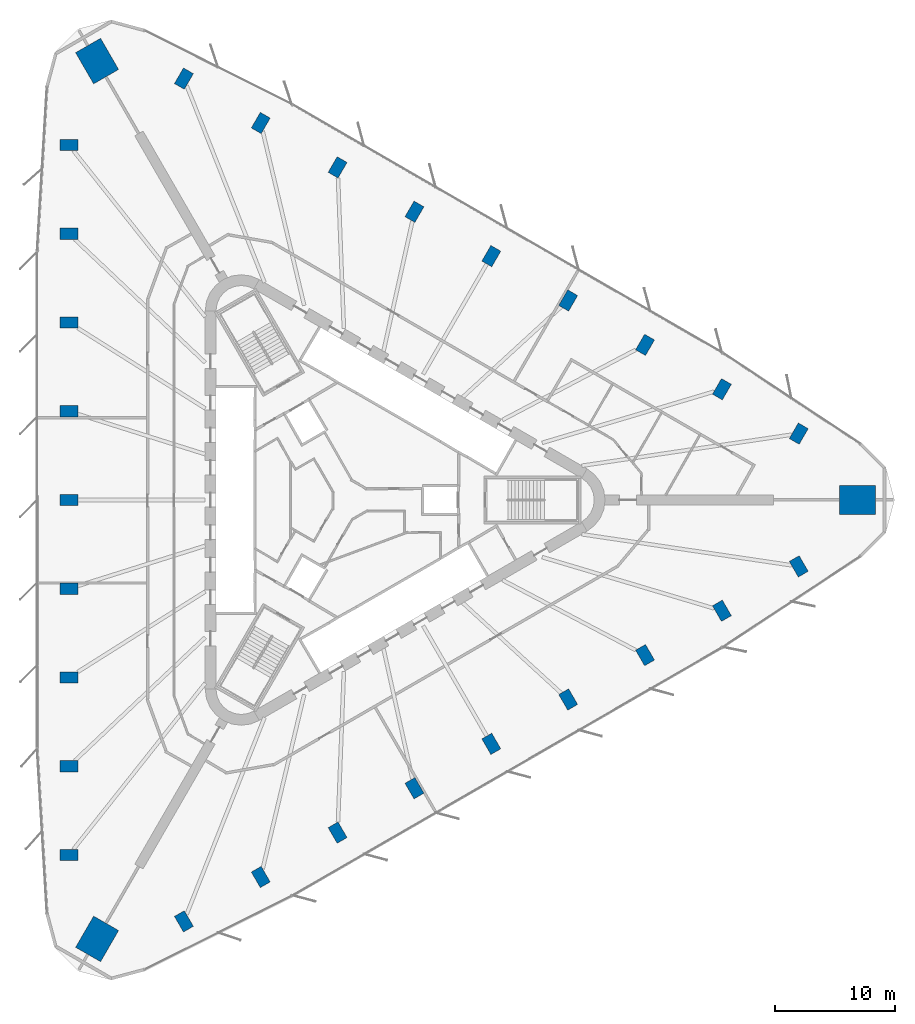
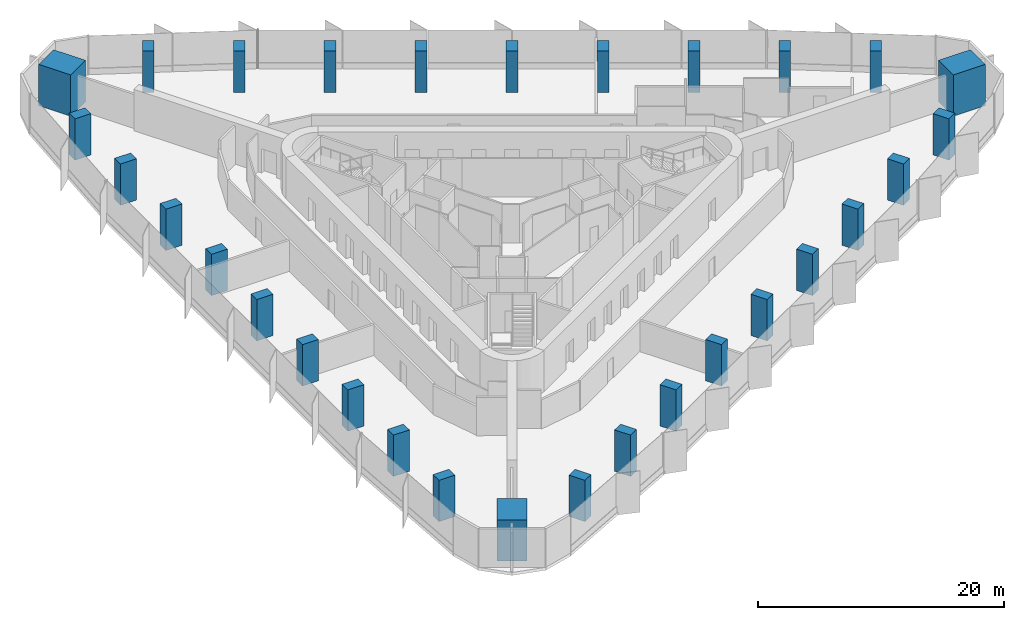
# One storey, part 1 of 14: 30 columns.
"""IFC4 building model written with IfcOpenShell, lengths in metres."""

from ifc_helpers import new_model, si_unit, direction, frame, origin, origin_2d, place, context, subcontext, project, spatial, rectangle, extrude, material, material_profile, profile_set, type_object, element, save


model = new_model("IFC4")

# Units and contexts
model_context = context("Model", 3, precision=1e-05, world=origin(), true_north=direction((0.0, 1.0)))
body_context = subcontext(model_context, "Body", "Model", "MODEL_VIEW")
ifc_project = project(units=[si_unit("LENGTHUNIT", "METRE"), si_unit("AREAUNIT", "SQUARE_METRE"), si_unit("VOLUMEUNIT", "CUBIC_METRE"), si_unit("PLANEANGLEUNIT", "RADIAN"), si_unit("MASSUNIT", "GRAM", prefix="KILO")], contexts=[model_context])

# Site, building, storey
site_placement = place(None, origin())
site = spatial("IfcSite", under=ifc_project, at=site_placement, CompositionType="ELEMENT")
building_placement = place(site_placement, origin())
building = spatial("IfcBuilding", under=site, at=building_placement, Name="Tanit Gate Tower", CompositionType="ELEMENT")
storey_placement = place(building_placement, frame((0.0, 0.0, 53.699951171875)))
storey = spatial("IfcBuildingStorey", under=building, at=storey_placement, Name="L09", CompositionType="ELEMENT", Elevation=53.699951171875)

# Columns
ifc_material_1 = material(Name="Concrete C70/85", Category="concrete")
ifc_material_profile_1 = material_profile(ifc_material_1, rectangle(XDim=3.0, YDim=2.39990234375, at=origin_2d()), Name="RC 3000x2400")
ifc_profile_set_1 = profile_set([ifc_material_profile_1], Name="Concrete C70/85")
column_type_1 = type_object("IfcColumnType", Name="MEGA COLUMN 3000x2400 C70/85", PredefinedType="COLUMN", material=ifc_profile_set_1)
for number, where, z_axis, x_axis, name in (
    (1, (42.211181640625, 0.0, 0.0), (0.0, 0.0, 1.0), (1.0, 0.0, 0.0), "MEGA COLUMN"),
    (2, (-21.105712890625, 36.555908203125, 0.0), (0.0, 0.0, 1.0), (-0.5, 0.866025403784, 0.0), "MEGA COLUMN"),
    (3, (-21.105712890625, -36.555908203125, 0.0), (0.0, 0.0, 1.0), (-0.5, -0.866025403784, 0.0), "MEGA COLUMN"),
):
    element("IfcColumn", number, at=place(storey_placement, frame(where, z_axis=z_axis, x_axis=x_axis)), inside=storey, type_object=column_type_1, Name=name, PredefinedType="COLUMN", context=body_context, shape_type="SweptSolid", body=[
        extrude(rectangle(XDim=3.0, YDim=2.39990234375, at=origin_2d()), origin(), (0.0, 0.0, 1.0), 4.10009765625),
    ])
ifc_material_2 = material(Name="Concrete C60/75", Category="concrete")
ifc_material_profile_2 = material_profile(ifc_material_2, rectangle(XDim=1.5, YDim=0.949951171875, at=origin_2d()), Name="RC 1500x950")
ifc_profile_set_2 = profile_set([ifc_material_profile_2], Name="Concrete C60/75")
column_type_2 = type_object("IfcColumnType", Name="PERIMETER COLUMN 1500x950 C60/75", PredefinedType="COLUMN", material=ifc_profile_set_2)
for number, where, z_axis, x_axis, name in (
    (4, (-23.453369140625, 29.56591796875, 0.0), (0.0, 0.0, 1.0), (-1.0, 0.0, 0.0), "PERIMETER COLUMN"),
    (5, (-23.453369140625, 22.17431640625, 0.0), (0.0, 0.0, 1.0), (-1.0, 0.0, 0.0), "PERIMETER COLUMN"),
    (6, (-23.453369140625, 14.782958984375, 0.0), (0.0, 0.0, 1.0), (-1.0, 0.0, 0.0), "PERIMETER COLUMN"),
    (7, (-23.453369140625, 7.391357421875, 0.0), (0.0, 0.0, 1.0), (-1.0, 0.0, 0.0), "PERIMETER COLUMN"),
    (8, (-23.453369140625, 0.0, 0.0), (0.0, 0.0, 1.0), (-1.0, 0.0, 0.0), "PERIMETER COLUMN"),
    (9, (-23.453369140625, -7.391357421875, 0.0), (0.0, 0.0, 1.0), (-1.0, 0.0, 0.0), "PERIMETER COLUMN"),
    (10, (-23.453369140625, -14.782958984375, 0.0), (0.0, 0.0, 1.0), (-1.0, 0.0, 0.0), "PERIMETER COLUMN"),
    (11, (-23.453369140625, -22.17431640625, 0.0), (0.0, 0.0, 1.0), (-1.0, 0.0, 0.0), "PERIMETER COLUMN"),
    (12, (-23.453369140625, -29.56591796875, 0.0), (0.0, 0.0, 1.0), (-1.0, 0.0, 0.0), "PERIMETER COLUMN"),
    (13, (37.331298828125, 5.5283203125, 0.0), (0.0, 0.0, 1.0), (0.5, 0.866025403784, 0.0), "PERIMETER COLUMN"),
    (14, (30.930419921875, 9.22412109375, 0.0), (0.0, 0.0, 1.0), (0.5, 0.866025403784, 0.0), "PERIMETER COLUMN"),
    (15, (24.529052734375, 12.919921875, 0.0), (0.0, 0.0, 1.0), (0.5, 0.866025403784, 0.0), "PERIMETER COLUMN"),
    (16, (18.1279296875, 16.615478515625, 0.0), (0.0, 0.0, 1.0), (0.5, 0.866025403784, 0.0), "PERIMETER COLUMN"),
    (17, (11.726806640625, 20.311279296875, 0.0), (0.0, 0.0, 1.0), (0.5, 0.866025403784, 0.0), "PERIMETER COLUMN"),
    (18, (5.325439453125, 24.007080078125, 0.0), (0.0, 0.0, 1.0), (0.5, 0.866025403784, 0.0), "PERIMETER COLUMN"),
    (19, (-1.07568359375, 27.70263671875, 0.0), (0.0, 0.0, 1.0), (0.5, 0.866025403784, 0.0), "PERIMETER COLUMN"),
    (20, (-7.476806640625, 31.3984375, 0.0), (0.0, 0.0, 1.0), (0.5, 0.866025403784, 0.0), "PERIMETER COLUMN"),
    (21, (-13.8779296875, 35.093994140625, 0.0), (0.0, 0.0, 1.0), (0.5, 0.866025403784, 0.0), "PERIMETER COLUMN"),
    (22, (-13.8779296875, -35.093994140625, 0.0), (0.0, 0.0, 1.0), (0.5, -0.866025403784, 0.0), "PERIMETER COLUMN"),
    (23, (-7.476806640625, -31.3984375, 0.0), (0.0, 0.0, 1.0), (0.5, -0.866025403784, 0.0), "PERIMETER COLUMN"),
    (24, (-1.07568359375, -27.70263671875, 0.0), (0.0, 0.0, 1.0), (0.5, -0.866025403784, 0.0), "PERIMETER COLUMN"),
    (25, (5.325439453125, -24.007080078125, 0.0), (0.0, 0.0, 1.0), (0.5, -0.866025403784, 0.0), "PERIMETER COLUMN"),
    (26, (11.726806640625, -20.311279296875, 0.0), (0.0, 0.0, 1.0), (0.5, -0.866025403784, 0.0), "PERIMETER COLUMN"),
    (27, (18.1279296875, -16.615478515625, 0.0), (0.0, 0.0, 1.0), (0.5, -0.866025403784, 0.0), "PERIMETER COLUMN"),
    (28, (24.529052734375, -12.919921875, 0.0), (0.0, 0.0, 1.0), (0.5, -0.866025403784, 0.0), "PERIMETER COLUMN"),
    (29, (30.930419921875, -9.22412109375, 0.0), (0.0, 0.0, 1.0), (0.5, -0.866025403784, 0.0), "PERIMETER COLUMN"),
    (30, (37.331298828125, -5.5283203125, 0.0), (0.0, 0.0, 1.0), (0.5, -0.866025403784, 0.0), "PERIMETER COLUMN"),
):
    element("IfcColumn", number, at=place(storey_placement, frame(where, z_axis=z_axis, x_axis=x_axis)), inside=storey, type_object=column_type_2, Name=name, PredefinedType="COLUMN", context=body_context, shape_type="SweptSolid", body=[
        extrude(rectangle(XDim=1.5, YDim=0.949951171875, at=origin_2d()), origin(), (0.0, 0.0, 1.0), 4.10009765625),
    ])

save(model, "model.ifc")
